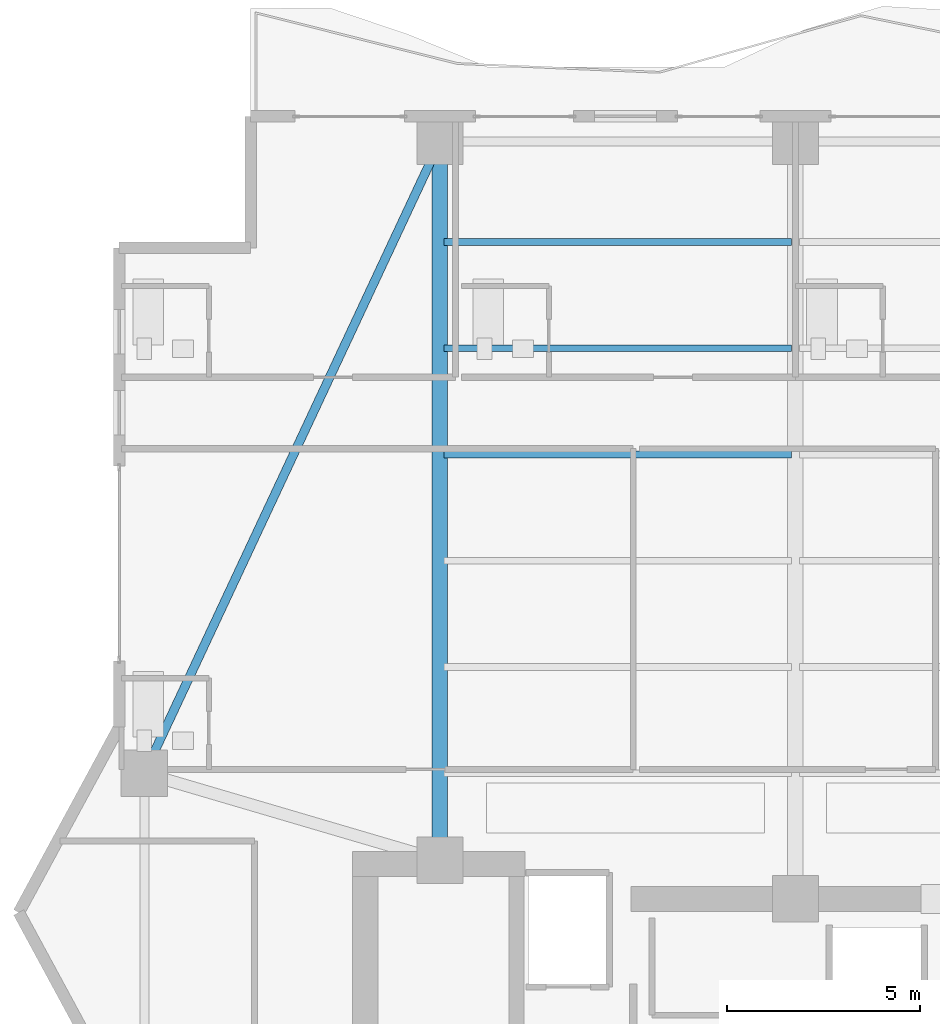
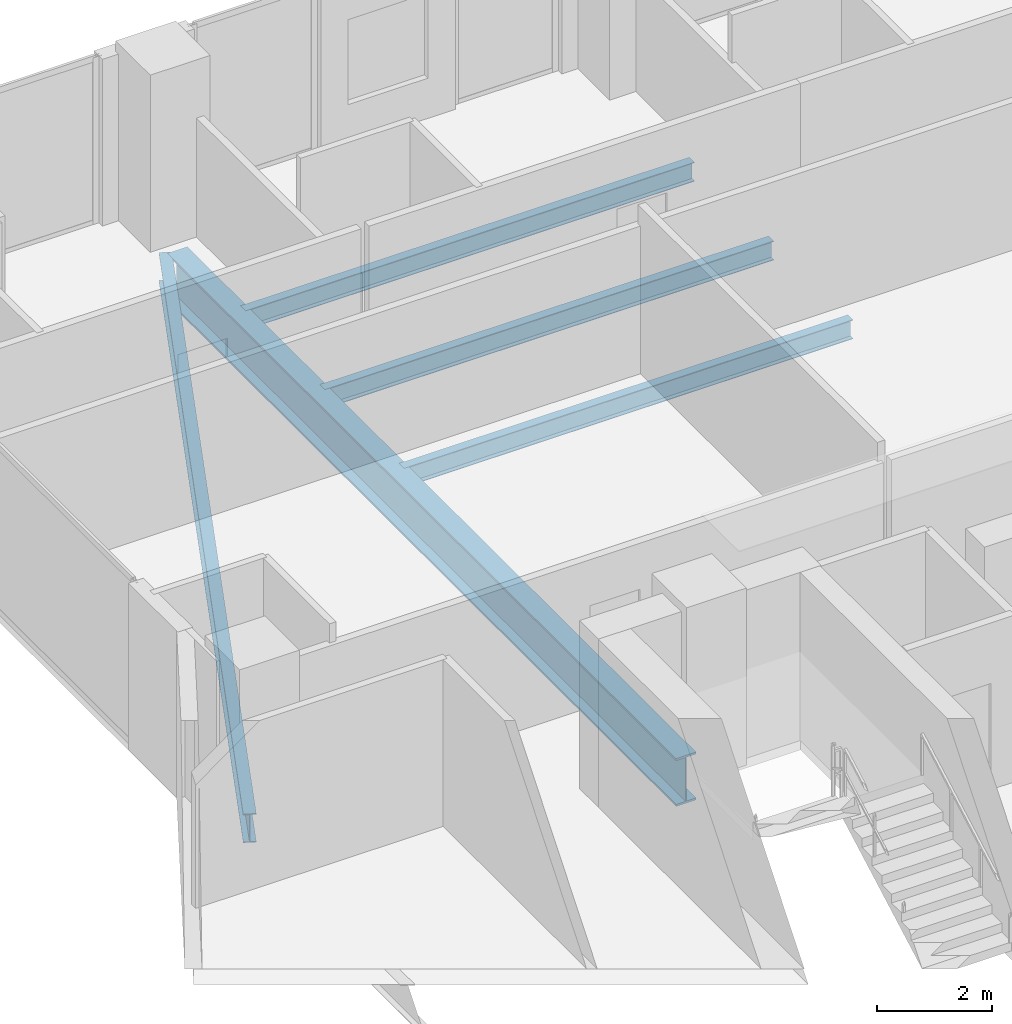
# One storey, part 17 of 33: 5 beams.
"""IFC4 building model written with IfcOpenShell, lengths in metres."""

from ifc_helpers import new_model, si_unit, direction, frame, origin, origin_2d, place, context, subcontext, project, spatial, i_section, extrude, material, material_profile, profile_set, type_object, element, save


model = new_model("IFC4")

# Units and contexts
model_context = context("Model", 3, precision=1e-05, world=origin(), true_north=direction((0.0, 1.0)))
body_context = subcontext(model_context, "Body", "Model", "MODEL_VIEW")
ifc_project = project(units=[si_unit("LENGTHUNIT", "METRE"), si_unit("AREAUNIT", "SQUARE_METRE"), si_unit("VOLUMEUNIT", "CUBIC_METRE"), si_unit("PLANEANGLEUNIT", "RADIAN"), si_unit("MASSUNIT", "GRAM", prefix="KILO")], contexts=[model_context])

# Site, building, storey
site_placement = place(None, origin())
site = spatial("IfcSite", under=ifc_project, at=site_placement, CompositionType="ELEMENT")
building_placement = place(site_placement, origin())
building = spatial("IfcBuilding", under=site, at=building_placement, Name="Zuhayl Quay Hotel", CompositionType="ELEMENT")
storey_placement = place(building_placement, frame((0.0, 0.0, 211.14990234375)))
storey = spatial("IfcBuildingStorey", under=building, at=storey_placement, Name="L53", CompositionType="ELEMENT", Elevation=211.14990234375)

# Beams
ifc_material = material(Name="Steel ASTM A992 Grade 50", Category="steel")
ifc_material_profile_1 = material_profile(ifc_material, i_section(OverallWidth=0.22802734375, OverallDepth=0.60693359375, WebThickness=0.01123046875, FlangeThickness=0.017333984375, at=origin_2d()), Name="W24X76")
ifc_profile_set_1 = profile_set([ifc_material_profile_1], Name="Steel ASTM A992 Grade 50")
beam_type_1 = type_object("IfcBeamType", Name="BM_B3_W24X76", PredefinedType="BEAM", material=ifc_profile_set_1)
beam_1_placement = place(storey_placement, frame((-14.011962890625, 32.4970703125, -0.5234375), z_axis=(-0.423792164429, -0.905759461098, 0.0), x_axis=(0.905759461098, -0.423792164429, 0.0)))
element("IfcBeam", 1, at=beam_1_placement, inside=storey, type_object=beam_type_1, Name="L53 Floor Beam RG_L53_10", PredefinedType="BEAM", context=body_context, shape_type="SweptSolid", body=[
    extrude(i_section(OverallWidth=0.22802734375, OverallDepth=0.60693359375, WebThickness=0.01123046875, FlangeThickness=0.017333984375, at=origin_2d()), origin(), (0.0, 0.0, 1.0), 17.051025390625),
])
ifc_material_profile_2 = material_profile(ifc_material, i_section(OverallWidth=0.177978515625, OverallDepth=0.406005859375, WebThickness=0.0078125, FlangeThickness=0.0126953125, at=origin_2d()), Name="W16X40")
ifc_profile_set_2 = profile_set([ifc_material_profile_2], Name="Steel ASTM A992 Grade 50")
beam_type_2 = type_object("IfcBeamType", Name="BM_J2B_W16X40", PredefinedType="JOIST", material=ifc_profile_set_2)
for number, where, z_axis, x_axis, name in (
    (2, (-13.694091796875, 24.85009765625, -0.4228515625), (1.0, 0.0, 0.0), (0.0, 1.0, 0.0), "L53 Floor Beam FJ_L53_4_1"),
    (3, (-13.694091796875, 27.60009765625, -0.4228515625), (1.0, 0.0, 0.0), (0.0, 1.0, 0.0), "L53 Floor Beam FJ_L53_5_1"),
    (4, (-13.694091796875, 30.35009765625, -0.4228515625), (1.0, 0.0, 0.0), (0.0, 1.0, 0.0), "L53 Floor Beam FJ_L53_6_1"),
):
    element("IfcBeam", number, at=place(storey_placement, frame(where, z_axis=z_axis, x_axis=x_axis)), inside=storey, type_object=beam_type_2, Name=name, PredefinedType="JOIST", context=body_context, shape_type="SweptSolid", body=[
        extrude(i_section(OverallWidth=0.177978515625, OverallDepth=0.406005859375, WebThickness=0.0078125, FlangeThickness=0.0126953125, at=origin_2d()), origin(), (0.0, 0.0, 1.0), 8.988037109375),
    ])
ifc_material_profile_3 = material_profile(ifc_material, i_section(OverallWidth=0.40087890625, OverallDepth=1.010986328125, WebThickness=0.023681640625, FlangeThickness=0.0419921875, at=origin_2d()), Name="W40X297")
ifc_profile_set_3 = profile_set([ifc_material_profile_3], Name="Steel ASTM A992 Grade 50")
beam_type_3 = type_object("IfcBeamType", Name="BM_TG2_W40X297", PredefinedType="BEAM", material=ifc_profile_set_3)
beam_2_placement = place(storey_placement, frame((-13.800048828125, 14.800048828125, -0.725341796875), z_axis=(0.0, 1.0, 0.0), x_axis=(-1.0, 0.0, 0.0)))
element("IfcBeam", 5, at=beam_2_placement, inside=storey, type_object=beam_type_3, Name="L53 Floor Beam FG_N_L53_1", PredefinedType="BEAM", context=body_context, shape_type="SweptSolid", body=[
    extrude(i_section(OverallWidth=0.40087890625, OverallDepth=1.010986328125, WebThickness=0.023681640625, FlangeThickness=0.0419921875, at=origin_2d()), origin(), (0.0, 0.0, 1.0), 17.64990234375),
])

save(model, "model.ifc")
